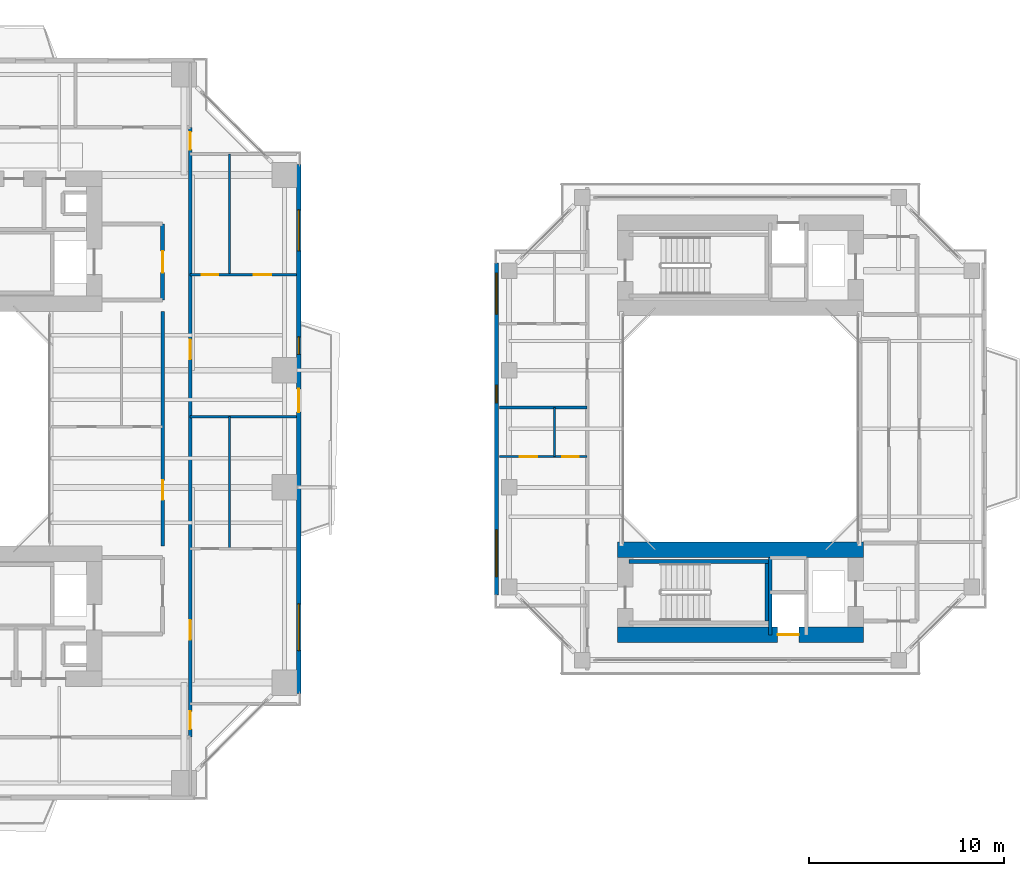
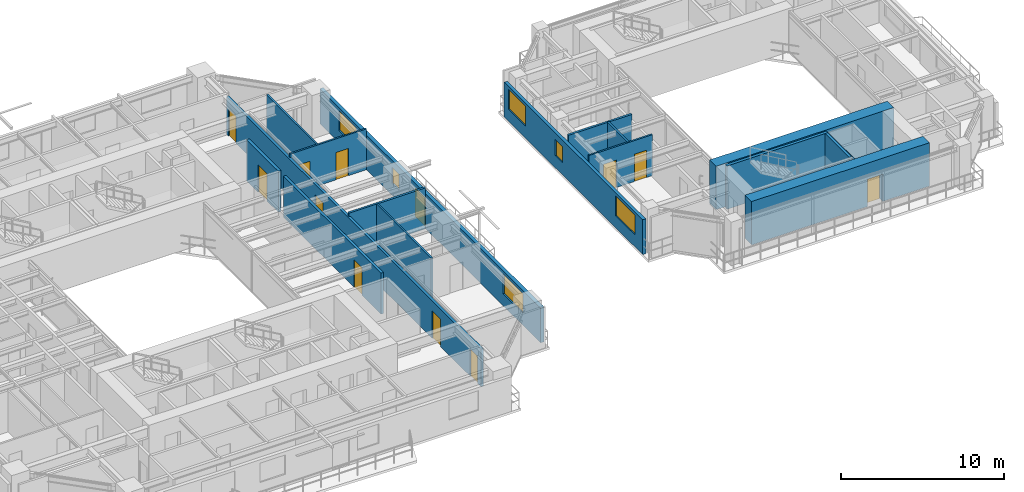
# One storey, part 15 of 23: 17 walls, 12 doors, 6 windows, 18 openings.
"""IFC4 building model written with IfcOpenShell, lengths in metres."""

from ifc_helpers import new_model, si_unit, direction, frame, frame_2d, origin, place, context, subcontext, project, spatial, rectangle, extrude, source, transform, mapped, material, layer, layer_set, type_object, element, fill, save


model = new_model("IFC4")

# Units and contexts
model_context = context("Model", 3, precision=1e-05, world=origin(), true_north=direction((0.0, 1.0)))
body_context = subcontext(model_context, "Body", "Model", "MODEL_VIEW")
ifc_project = project(units=[si_unit("LENGTHUNIT", "METRE"), si_unit("AREAUNIT", "SQUARE_METRE"), si_unit("VOLUMEUNIT", "CUBIC_METRE"), si_unit("PLANEANGLEUNIT", "RADIAN"), si_unit("MASSUNIT", "GRAM", prefix="KILO"), si_unit("THERMODYNAMICTEMPERATUREUNIT", "KELVIN"), si_unit("POWERUNIT", "WATT")], contexts=[model_context])

# Site, building, storey
site_placement = place(None, origin())
site = spatial("IfcSite", under=ifc_project, at=site_placement, CompositionType="ELEMENT")
building_placement = place(site_placement, origin())
building = spatial("IfcBuilding", under=site, at=building_placement, Name="Qiaomeng Ring Towers", CompositionType="ELEMENT")
storey_placement = place(building_placement, frame((0.0, 0.0, 76.25)))
storey = spatial("IfcBuildingStorey", under=building, at=storey_placement, Name="L21", CompositionType="ELEMENT", Elevation=76.25)

# Wall, openings, windows, door
ifc_material_1 = material(Name="Precast concrete C40", Category="concrete")
ifc_layer_1 = layer(ifc_material_1, 0.25, Name="Precast concrete C40")
ifc_layer_set_1 = layer_set([ifc_layer_1], Name="Precast concrete C40")
wall_type_1 = type_object("IfcWallType", Name="ARC-WL-EW1", PredefinedType="STANDARD", material=ifc_layer_set_1)
wall_1_placement = place(storey_placement, frame((37.875, 9.449951171875, 0.0), z_axis=(0.0, 0.0, 1.0), x_axis=(0.0, 1.0, 0.0)))
wall_1 = element("IfcWall", 1, at=wall_1_placement, inside=storey, type_object=wall_type_1, Name="L21 Tower 1 E Exterior Wall", PredefinedType="STANDARD", context=body_context, shape_type="SweptSolid", body=[
    extrude(rectangle(XDim=27.10009765625, YDim=0.25, at=frame_2d((13.550048828125, 0.0))), origin(), (0.0, 0.0, 1.0), 2.610107421875),
])
opening_1_placement = place(wall_1_placement, frame((14.39990234375, 0.0, 0.0)))
opening_1 = element("IfcOpeningElement", 2, at=opening_1_placement, cuts=wall_1, Name="Opening BD1", PredefinedType="OPENING", context=body_context, shape_type="SweptSolid", body=[
    extrude(rectangle(XDim=1.199951171875, YDim=2.10009765625, at=frame_2d((0.60009765625, 1.050048828125))), frame((0.0, 0.135009765625, 0.0), z_axis=(0.0, -1.0, 0.0), x_axis=(1.0, 0.0, 0.0)), (0.0, 0.0, 1.0), 0.27001953125),
])
opening_2_placement = place(wall_1_placement, frame((2.18798828125, 0.0, 0.89990234375)))
opening_2 = element("IfcOpeningElement", 3, at=opening_2_placement, cuts=wall_1, Name="Opening WN6", PredefinedType="OPENING", context=body_context, shape_type="SweptSolid", body=[
    extrude(rectangle(XDim=2.39990234375, YDim=1.47998046875, at=frame_2d((1.199951171875, 0.739990234375))), frame((0.0, 0.135009765625, 0.0), z_axis=(0.0, -1.0, 0.0), x_axis=(1.0, 0.0, 0.0)), (0.0, 0.0, 1.0), 0.27001953125),
])
opening_3_placement = place(wall_1_placement, frame((22.6630859375, 0.0, 0.89990234375)))
opening_3 = element("IfcOpeningElement", 4, at=opening_3_placement, cuts=wall_1, Name="Opening WN4", PredefinedType="OPENING", context=body_context, shape_type="SweptSolid", body=[
    extrude(rectangle(XDim=2.10009765625, YDim=1.47998046875, at=frame_2d((1.050048828125, 0.739990234375))), frame((0.0, 0.135009765625, 0.0), z_axis=(0.0, -1.0, 0.0), x_axis=(1.0, 0.0, 0.0)), (0.0, 0.0, 1.0), 0.27001953125),
])
opening_4_placement = place(wall_1_placement, frame((17.364990234375, 0.0, 0.89990234375)))
opening_4 = element("IfcOpeningElement", 5, at=opening_4_placement, cuts=wall_1, Name="Opening WN5", PredefinedType="OPENING", context=body_context, shape_type="SweptSolid", body=[
    extrude(rectangle(XDim=0.89990234375, YDim=1.199951171875, at=frame_2d((0.449951171875, 0.60009765625))), frame((0.0, 0.135009765625, 0.0), z_axis=(0.0, -1.0, 0.0), x_axis=(1.0, 0.0, 0.0)), (0.0, 0.0, 1.0), 0.27001953125),
])
ifc_material_2 = material(Name="Low-E dark-grey laminated double glazing", Category="glass")
window_type_1 = type_object("IfcWindowType", Name="ARC-WN-4", PartitioningType="TRIPLE_PANEL_VERTICAL", PredefinedType="WINDOW", material=ifc_material_2)
shared_shape_1 = source(origin(), body_context, "Body", "SweptSolid", [
    extrude(rectangle(XDim=2.10009765625, YDim=1.47998046875, at=frame_2d((1.050048828125, 0.739990234375))), frame((0.0, 0.030029296875, 0.0), z_axis=(0.0, -1.0, 0.0), x_axis=(1.0, 0.0, 0.0)), (0.0, 0.0, 1.0), 0.06005859375),
])
window_1_placement = place(opening_3_placement, origin())
window_1 = element("IfcWindow", 6, at=window_1_placement, inside=storey, type_object=window_type_1, Name="L21 Exterior Window WN4", OverallHeight=1.47998046875, OverallWidth=2.10009765625, PartitioningType="TRIPLE_PANEL_VERTICAL", PredefinedType="WINDOW", context=body_context, shape_type="MappedRepresentation", body=[
    mapped(shared_shape_1, transform((0.0, 0.0, 0.0), x_axis=(1.0, 0.0, 0.0), y_axis=(0.0, 1.0, 0.0), z_axis=(0.0, 0.0, 1.0), scale=1.0)),
])
fill(opening_3, window_1)
window_type_2 = type_object("IfcWindowType", Name="ARC-WN-6", PartitioningType="TRIPLE_PANEL_VERTICAL", PredefinedType="WINDOW", material=ifc_material_2)
shared_shape_2 = source(origin(), body_context, "Body", "SweptSolid", [
    extrude(rectangle(XDim=2.39990234375, YDim=1.47998046875, at=frame_2d((1.199951171875, 0.739990234375))), frame((0.0, 0.030029296875, 0.0), z_axis=(0.0, -1.0, 0.0), x_axis=(1.0, 0.0, 0.0)), (0.0, 0.0, 1.0), 0.06005859375),
])
window_2_placement = place(opening_2_placement, origin())
window_2 = element("IfcWindow", 7, at=window_2_placement, inside=storey, type_object=window_type_2, Name="L21 Exterior Window WN6", OverallHeight=1.47998046875, OverallWidth=2.39990234375, PartitioningType="TRIPLE_PANEL_VERTICAL", PredefinedType="WINDOW", context=body_context, shape_type="MappedRepresentation", body=[
    mapped(shared_shape_2, transform((0.0, 0.0, 0.0), x_axis=(1.0, 0.0, 0.0), y_axis=(0.0, 1.0, 0.0), z_axis=(0.0, 0.0, 1.0), scale=1.0)),
])
fill(opening_2, window_2)
door_type_1 = type_object("IfcDoorType", Name="ARC-DR-BD1", OperationType="NOTDEFINED", PredefinedType="DOOR", material=ifc_material_2)
shared_shape_3 = source(origin(), body_context, "Body", "SweptSolid", [
    extrude(rectangle(XDim=1.199951171875, YDim=2.10009765625, at=frame_2d((0.60009765625, 1.050048828125))), frame((0.0, 0.02490234375, 0.0), z_axis=(0.0, -1.0, 0.0), x_axis=(1.0, 0.0, 0.0)), (0.0, 0.0, 1.0), 0.050048828125),
])
door_1_placement = place(opening_1_placement, origin())
door_1 = element("IfcDoor", 8, at=door_1_placement, inside=storey, type_object=door_type_1, Name="L21 E Balcony Glazed Door", OperationType="SINGLE_SWING_LEFT", OverallHeight=2.10009765625, OverallWidth=1.199951171875, PredefinedType="DOOR", context=body_context, shape_type="MappedRepresentation", body=[
    mapped(shared_shape_3, transform((0.0, 0.0, 0.0), x_axis=(1.0, 0.0, 0.0), y_axis=(0.0, 1.0, 0.0), z_axis=(0.0, 0.0, 1.0), scale=1.0)),
])
fill(opening_1, door_1)
window_type_3 = type_object("IfcWindowType", Name="ARC-WN-5", PartitioningType="SINGLE_PANEL", PredefinedType="WINDOW", material=ifc_material_2)
shared_shape_4 = source(origin(), body_context, "Body", "SweptSolid", [
    extrude(rectangle(XDim=0.89990234375, YDim=1.199951171875, at=frame_2d((0.449951171875, 0.60009765625))), frame((0.0, 0.030029296875, 0.0), z_axis=(0.0, -1.0, 0.0), x_axis=(1.0, 0.0, 0.0)), (0.0, 0.0, 1.0), 0.06005859375),
])
window_3_placement = place(opening_4_placement, origin())
window_3 = element("IfcWindow", 9, at=window_3_placement, inside=storey, type_object=window_type_3, Name="L21 Exterior Window WN5", OverallHeight=1.199951171875, OverallWidth=0.89990234375, PartitioningType="SINGLE_PANEL", PredefinedType="WINDOW", context=body_context, shape_type="MappedRepresentation", body=[
    mapped(shared_shape_4, transform((0.0, 0.0, 0.0), x_axis=(1.0, 0.0, 0.0), y_axis=(0.0, 1.0, 0.0), z_axis=(0.0, 0.0, 1.0), scale=1.0)),
])
fill(opening_4, window_3)

# Wall, openings, windows
ifc_layer_2 = layer(ifc_material_1, 0.219970703125, Name="Precast concrete C40")
ifc_layer_set_2 = layer_set([ifc_layer_2], Name="Precast concrete C40")
wall_type_2 = type_object("IfcWallType", Name="ARC-WL-EW2", PredefinedType="STANDARD", material=ifc_layer_set_2)
wall_2_placement = place(storey_placement, frame((48.010009765625, 14.5, 0.0), z_axis=(0.0, 0.0, 1.0), x_axis=(0.0, 1.0, 0.0)))
wall_2 = element("IfcWall", 10, at=wall_2_placement, inside=storey, type_object=wall_type_2, Name="L21 Companion West Wall", PredefinedType="STANDARD", context=body_context, shape_type="SweptSolid", body=[
    extrude(rectangle(XDim=17.0, YDim=0.219970703125, at=frame_2d((8.5, 0.0))), origin(), (0.0, 0.0, 1.0), 2.610107421875),
])
opening_5_placement = place(wall_2_placement, frame((0.925048828125, 0.0, 0.89990234375)))
opening_5 = element("IfcOpeningElement", 11, at=opening_5_placement, cuts=wall_2, Name="Opening WN6", PredefinedType="OPENING", context=body_context, shape_type="SweptSolid", body=[
    extrude(rectangle(XDim=2.39990234375, YDim=1.47998046875, at=frame_2d((1.199951171875, 0.739990234375))), frame((0.0, 0.119873046875, 0.0), z_axis=(0.0, -1.0, 0.0), x_axis=(1.0, 0.0, 0.0)), (0.0, 0.0, 1.0), 0.239990234375),
])
opening_6_placement = place(wall_2_placement, frame((14.3798828125, 0.0, 0.89990234375)))
opening_6 = element("IfcOpeningElement", 12, at=opening_6_placement, cuts=wall_2, Name="Opening WN4", PredefinedType="OPENING", context=body_context, shape_type="SweptSolid", body=[
    extrude(rectangle(XDim=2.10009765625, YDim=1.5, at=frame_2d((1.050048828125, 0.75))), frame((0.0, 0.119873046875, 0.0), z_axis=(0.0, -1.0, 0.0), x_axis=(1.0, 0.0, 0.0)), (0.0, 0.0, 1.0), 0.239990234375),
])
opening_7_placement = place(wall_2_placement, frame((9.8349609375, 0.0, 0.89990234375)))
opening_7 = element("IfcOpeningElement", 13, at=opening_7_placement, cuts=wall_2, Name="Opening WN5", PredefinedType="OPENING", context=body_context, shape_type="SweptSolid", body=[
    extrude(rectangle(XDim=0.89990234375, YDim=1.199951171875, at=frame_2d((0.449951171875, 0.60009765625))), frame((0.0, 0.119873046875, 0.0), z_axis=(0.0, -1.0, 0.0), x_axis=(1.0, 0.0, 0.0)), (0.0, 0.0, 1.0), 0.239990234375),
])
shared_shape_5 = source(origin(), body_context, "Body", "SweptSolid", [
    extrude(rectangle(XDim=2.10009765625, YDim=1.5, at=frame_2d((1.050048828125, 0.75))), frame((0.0, 0.030029296875, 0.0), z_axis=(0.0, -1.0, 0.0), x_axis=(1.0, 0.0, 0.0)), (0.0, 0.0, 1.0), 0.06005859375),
])
window_4_placement = place(opening_6_placement, origin())
window_4 = element("IfcWindow", 14, at=window_4_placement, inside=storey, type_object=window_type_1, Name="L21 Exterior Window WN4", OverallHeight=1.5, OverallWidth=2.10009765625, PartitioningType="TRIPLE_PANEL_VERTICAL", PredefinedType="WINDOW", context=body_context, shape_type="MappedRepresentation", body=[
    mapped(shared_shape_5, transform((0.0, 0.0, 0.0), x_axis=(1.0, 0.0, 0.0), y_axis=(0.0, 1.0, 0.0), z_axis=(0.0, 0.0, 1.0), scale=1.0)),
])
fill(opening_6, window_4)
window_5_placement = place(opening_5_placement, origin())
window_5 = element("IfcWindow", 15, at=window_5_placement, inside=storey, type_object=window_type_2, Name="L21 Exterior Window WN6", OverallHeight=1.47998046875, OverallWidth=2.39990234375, PartitioningType="TRIPLE_PANEL_VERTICAL", PredefinedType="WINDOW", context=body_context, shape_type="MappedRepresentation", body=[
    mapped(shared_shape_2, transform((0.0, 0.0, 0.0), x_axis=(1.0, 0.0, 0.0), y_axis=(0.0, 1.0, 0.0), z_axis=(0.0, 0.0, 1.0), scale=1.0)),
])
fill(opening_5, window_5)
window_6_placement = place(opening_7_placement, origin())
window_6 = element("IfcWindow", 16, at=window_6_placement, inside=storey, type_object=window_type_3, Name="L21 Exterior Window WN5", OverallHeight=1.199951171875, OverallWidth=0.89990234375, PartitioningType="SINGLE_PANEL", PredefinedType="WINDOW", context=body_context, shape_type="MappedRepresentation", body=[
    mapped(shared_shape_4, transform((0.0, 0.0, 0.0), x_axis=(1.0, 0.0, 0.0), y_axis=(0.0, 1.0, 0.0), z_axis=(0.0, 0.0, 1.0), scale=1.0)),
])
fill(opening_7, window_6)

# Wall, opening, door
ifc_material_3 = material(Name="Autoclaved aerated concrete block", Category="concrete")
ifc_layer_3 = layer(ifc_material_3, 0.199951171875, Name="Autoclaved aerated concrete block")
ifc_layer_set_3 = layer_set([ifc_layer_3], Name="Autoclaved aerated concrete block")
wall_type_3 = type_object("IfcWallType", Name="ARC-WL-PW1", PredefinedType="PARTITIONING", material=ifc_layer_set_3)
wall_3_placement = place(storey_placement, frame((30.89990234375, 29.60009765625, 0.0), z_axis=(0.0, 0.0, 1.0), x_axis=(0.0, 1.0, 0.0)))
wall_3 = element("IfcWall", 17, at=wall_3_placement, inside=storey, type_object=wall_type_3, Name="L21 Interior Wall PW1", PredefinedType="PARTITIONING", context=body_context, shape_type="SweptSolid", body=[
    extrude(rectangle(XDim=3.89990234375, YDim=0.199951171875, at=frame_2d((1.949951171875, 0.0))), origin(), (0.0, 0.0, 1.0), 3.070068359375),
])
opening_8_placement = place(wall_3_placement, frame((1.39990234375, 0.0, 0.0)))
opening_8 = element("IfcOpeningElement", 18, at=opening_8_placement, cuts=wall_3, Name="Opening FD3", PredefinedType="OPENING", context=body_context, shape_type="SweptSolid", body=[
    extrude(rectangle(XDim=1.10009765625, YDim=2.050048828125, at=frame_2d((0.550048828125, 1.02490234375))), frame((0.0, 0.10986328125, 0.0), z_axis=(0.0, -1.0, 0.0), x_axis=(1.0, 0.0, 0.0)), (0.0, 0.0, 1.0), 0.219970703125),
])
ifc_material_4 = material(Name="Galvanised steel", Category="steel")
door_type_2 = type_object("IfcDoorType", Name="ARC-DR-FD3", OperationType="NOTDEFINED", PredefinedType="DOOR", material=ifc_material_4)
shared_shape_6 = source(origin(), body_context, "Body", "SweptSolid", [
    extrude(rectangle(XDim=1.10009765625, YDim=2.050048828125, at=frame_2d((0.550048828125, 1.02490234375))), frame((0.0, 0.02490234375, 0.0), z_axis=(0.0, -1.0, 0.0), x_axis=(1.0, 0.0, 0.0)), (0.0, 0.0, 1.0), 0.050048828125),
])
door_2_placement = place(opening_8_placement, origin())
door_2 = element("IfcDoor", 19, at=door_2_placement, inside=storey, type_object=door_type_2, Name="L21 North FF Lobby Door", OperationType="SINGLE_SWING_LEFT", OverallHeight=2.050048828125, OverallWidth=1.10009765625, PredefinedType="DOOR", context=body_context, shape_type="MappedRepresentation", body=[
    mapped(shared_shape_6, transform((0.0, 0.0, 0.0), x_axis=(1.0, 0.0, 0.0), y_axis=(0.0, 1.0, 0.0), z_axis=(0.0, 0.0, 1.0), scale=1.0)),
])
fill(opening_8, door_2)

# Wall, openings, doors
ifc_layer_4 = layer(ifc_material_3, 0.179931640625, Name="Autoclaved aerated concrete block")
ifc_layer_set_4 = layer_set([ifc_layer_4], Name="Autoclaved aerated concrete block")
wall_type_4 = type_object("IfcWallType", Name="ARC-WL-PW2", PredefinedType="PARTITIONING", material=ifc_layer_set_4)
wall_4_placement = place(storey_placement, frame((32.320068359375, 7.2099609375, 0.0), z_axis=(0.0, 0.0, 1.0), x_axis=(0.0, 1.0, 0.0)))
wall_4 = element("IfcWall", 20, at=wall_4_placement, inside=storey, type_object=wall_type_4, Name="L21 Interior Wall PW2", PredefinedType="PARTITIONING", context=body_context, shape_type="SweptSolid", body=[
    extrude(rectangle(XDim=31.22998046875, YDim=0.179931640625, at=frame_2d((15.614990234375, 0.0))), origin(), (0.0, 0.0, 1.0), 2.81494140625),
])
opening_9_placement = place(wall_4_placement, frame((30.090087890625, 0.0, 0.0)))
opening_9 = element("IfcOpeningElement", 21, at=opening_9_placement, cuts=wall_4, Name="Opening ID1", PredefinedType="OPENING", context=body_context, shape_type="SweptSolid", body=[
    extrude(rectangle(XDim=0.89990234375, YDim=2.050048828125, at=frame_2d((0.449951171875, 1.02490234375))), frame((0.0, 0.099853515625, 0.0), z_axis=(0.0, -1.0, 0.0), x_axis=(1.0, 0.0, 0.0)), (0.0, 0.0, 1.0), 0.199951171875),
])
opening_10_placement = place(wall_4_placement, frame((0.4150390625, 0.0, 0.0)))
opening_10 = element("IfcOpeningElement", 22, at=opening_10_placement, cuts=wall_4, Name="Opening ID1", PredefinedType="OPENING", context=body_context, shape_type="SweptSolid", body=[
    extrude(rectangle(XDim=0.89990234375, YDim=2.050048828125, at=frame_2d((0.449951171875, 1.02490234375))), frame((0.0, 0.099853515625, 0.0), z_axis=(0.0, -1.0, 0.0), x_axis=(1.0, 0.0, 0.0)), (0.0, 0.0, 1.0), 0.199951171875),
])
opening_11_placement = place(wall_4_placement, frame((4.989990234375, 0.0, 0.0)))
opening_11 = element("IfcOpeningElement", 23, at=opening_11_placement, cuts=wall_4, Name="Opening FD4", PredefinedType="OPENING", context=body_context, shape_type="SweptSolid", body=[
    extrude(rectangle(XDim=1.0, YDim=2.050048828125, at=frame_2d((0.5, 1.02490234375))), frame((0.0, 0.099853515625, 0.0), z_axis=(0.0, -1.0, 0.0), x_axis=(1.0, 0.0, 0.0)), (0.0, 0.0, 1.0), 0.199951171875),
])
opening_12_placement = place(wall_4_placement, frame((19.35498046875, 0.0, 0.0)))
opening_12 = element("IfcOpeningElement", 24, at=opening_12_placement, cuts=wall_4, Name="Opening FD4", PredefinedType="OPENING", context=body_context, shape_type="SweptSolid", body=[
    extrude(rectangle(XDim=1.0, YDim=2.050048828125, at=frame_2d((0.5, 1.02490234375))), frame((0.0, 0.099853515625, 0.0), z_axis=(0.0, -1.0, 0.0), x_axis=(1.0, 0.0, 0.0)), (0.0, 0.0, 1.0), 0.199951171875),
])
ifc_material_5 = material(Name="Engineered fire-rated oak timber", Category="wood")
door_type_3 = type_object("IfcDoorType", Name="ARC-DR-FD4", OperationType="NOTDEFINED", PredefinedType="DOOR", material=ifc_material_5)
shared_shape_7 = source(origin(), body_context, "Body", "SweptSolid", [
    extrude(rectangle(XDim=1.0, YDim=2.050048828125, at=frame_2d((0.5, 1.02490234375))), frame((0.0, 0.02490234375, 0.0), z_axis=(0.0, -1.0, 0.0), x_axis=(1.0, 0.0, 0.0)), (0.0, 0.0, 1.0), 0.050048828125),
])
door_3_placement = place(opening_11_placement, origin())
door_3 = element("IfcDoor", 25, at=door_3_placement, inside=storey, type_object=door_type_3, Name="L21 Door FD4", OperationType="SINGLE_SWING_LEFT", OverallHeight=2.050048828125, OverallWidth=1.0, PredefinedType="DOOR", context=body_context, shape_type="MappedRepresentation", body=[
    mapped(shared_shape_7, transform((0.0, 0.0, 0.0), x_axis=(1.0, 0.0, 0.0), y_axis=(0.0, 1.0, 0.0), z_axis=(0.0, 0.0, 1.0), scale=1.0)),
])
fill(opening_11, door_3)
door_4_placement = place(opening_12_placement, origin())
door_4 = element("IfcDoor", 26, at=door_4_placement, inside=storey, type_object=door_type_3, Name="L21 Door FD4", OperationType="SINGLE_SWING_RIGHT", OverallHeight=2.050048828125, OverallWidth=1.0, PredefinedType="DOOR", context=body_context, shape_type="MappedRepresentation", body=[
    mapped(shared_shape_7, transform((0.0, 0.0, 0.0), x_axis=(1.0, 0.0, 0.0), y_axis=(0.0, 1.0, 0.0), z_axis=(0.0, 0.0, 1.0), scale=1.0)),
])
fill(opening_12, door_4)
ifc_material_6 = material(Name="Engineered oak timber", Category="wood")
door_type_4 = type_object("IfcDoorType", Name="ARC-DR-ID1", OperationType="NOTDEFINED", PredefinedType="DOOR", material=ifc_material_6)
shared_shape_8 = source(origin(), body_context, "Body", "SweptSolid", [
    extrude(rectangle(XDim=0.89990234375, YDim=2.050048828125, at=frame_2d((0.449951171875, 1.02490234375))), frame((0.0, 0.02490234375, 0.0), z_axis=(0.0, -1.0, 0.0), x_axis=(1.0, 0.0, 0.0)), (0.0, 0.0, 1.0), 0.050048828125),
])
door_5_placement = place(opening_9_placement, origin())
door_5 = element("IfcDoor", 27, at=door_5_placement, inside=storey, type_object=door_type_4, Name="L21 Door ID1", OperationType="SINGLE_SWING_LEFT", OverallHeight=2.050048828125, OverallWidth=0.89990234375, PredefinedType="DOOR", context=body_context, shape_type="MappedRepresentation", body=[
    mapped(shared_shape_8, transform((0.0, 0.0, 0.0), x_axis=(1.0, 0.0, 0.0), y_axis=(0.0, 1.0, 0.0), z_axis=(0.0, 0.0, 1.0), scale=1.0)),
])
fill(opening_9, door_5)
door_6_placement = place(opening_10_placement, origin())
door_6 = element("IfcDoor", 28, at=door_6_placement, inside=storey, type_object=door_type_4, Name="L21 Door ID1", OperationType="SINGLE_SWING_RIGHT", OverallHeight=2.050048828125, OverallWidth=0.89990234375, PredefinedType="DOOR", context=body_context, shape_type="MappedRepresentation", body=[
    mapped(shared_shape_8, transform((0.0, 0.0, 0.0), x_axis=(1.0, 0.0, 0.0), y_axis=(0.0, 1.0, 0.0), z_axis=(0.0, 0.0, 1.0), scale=1.0)),
])
fill(opening_10, door_6)

# Wall, opening, door
wall_5_placement = place(storey_placement, frame((30.89990234375, 17.0, 0.0), z_axis=(0.0, 0.0, 1.0), x_axis=(0.0, 1.0, 0.0)))
wall_5 = element("IfcWall", 29, at=wall_5_placement, inside=storey, type_object=wall_type_4, Name="L21 Interior Wall PW2", PredefinedType="PARTITIONING", context=body_context, shape_type="SweptSolid", body=[
    extrude(rectangle(XDim=12.0, YDim=0.179931640625, at=frame_2d((6.0, 0.0))), origin(), (0.0, 0.0, 1.0), 3.070068359375),
])
opening_13_placement = place(wall_5_placement, frame((2.360107421875, 0.0, 0.0)))
opening_13 = element("IfcOpeningElement", 30, at=opening_13_placement, cuts=wall_5, Name="Opening FD4", PredefinedType="OPENING", context=body_context, shape_type="SweptSolid", body=[
    extrude(rectangle(XDim=1.0, YDim=2.050048828125, at=frame_2d((0.5, 1.02490234375))), frame((0.0, 0.099853515625, 0.0), z_axis=(0.0, -1.0, 0.0), x_axis=(1.0, 0.0, 0.0)), (0.0, 0.0, 1.0), 0.199951171875),
])
door_7_placement = place(opening_13_placement, origin())
door_7 = element("IfcDoor", 31, at=door_7_placement, inside=storey, type_object=door_type_3, Name="L21 Door FD4", OperationType="SINGLE_SWING_LEFT", OverallHeight=2.050048828125, OverallWidth=1.0, PredefinedType="DOOR", context=body_context, shape_type="MappedRepresentation", body=[
    mapped(shared_shape_7, transform((0.0, 0.0, 0.0), x_axis=(1.0, 0.0, 0.0), y_axis=(0.0, 1.0, 0.0), z_axis=(0.0, 0.0, 1.0), scale=1.0)),
])
fill(opening_13, door_7)

# Walls
ifc_material_7 = material(Name="Gypsum fireboard steel-stud partition", Category="steel")
ifc_layer_5 = layer(ifc_material_7, 0.14990234375, Name="Gypsum fireboard steel-stud partition")
ifc_layer_set_5 = layer_set([ifc_layer_5], Name="Gypsum fireboard steel-stud partition")
wall_type_5 = type_object("IfcWallType", Name="ARC-WL-PW3", PredefinedType="PARTITIONING", material=ifc_layer_set_5)
wall_6_placement = place(storey_placement, frame((32.320068359375, 23.6201171875, 0.0), z_axis=(0.0, 0.0, 1.0), x_axis=(1.0, 0.0, 0.0)))
element("IfcWall", 32, at=wall_6_placement, inside=storey, type_object=wall_type_5, Name="L21 Interior Wall PW3", PredefinedType="PARTITIONING", context=body_context, shape_type="SweptSolid", body=[
    extrude(rectangle(XDim=5.429931640625, YDim=0.14990234375, at=frame_2d((2.71484375, 0.0))), origin(), (0.0, 0.0, 1.0), 3.070068359375),
])
wall_7_placement = place(storey_placement, frame((48.14990234375, 24.10009765625, 0.0), z_axis=(0.0, 0.0, 1.0), x_axis=(1.0, 0.0, 0.0)))
element("IfcWall", 33, at=wall_7_placement, inside=storey, type_object=wall_type_5, Name="L21 Interior Wall PW3", PredefinedType="PARTITIONING", context=body_context, shape_type="SweptSolid", body=[
    extrude(rectangle(XDim=4.5, YDim=0.14990234375, at=frame_2d((2.25, 0.0))), origin(), (0.0, 0.0, 1.0), 3.070068359375),
])
ifc_material_8 = material(Name="Moisture-resistant gypsum steel-stud partition", Category="steel")
ifc_layer_6 = layer(ifc_material_8, 0.1201171875, Name="Moisture-resistant gypsum steel-stud partition")
ifc_layer_set_6 = layer_set([ifc_layer_6], Name="Moisture-resistant gypsum steel-stud partition")
wall_type_6 = type_object("IfcWallType", Name="ARC-WL-PW4", PredefinedType="PLUMBINGWALL", material=ifc_layer_set_6)
wall_8_placement = place(storey_placement, frame((34.330078125, 16.860107421875, 0.0), z_axis=(0.0, 0.0, 1.0), x_axis=(0.0, 1.0, 0.0)))
element("IfcWall", 34, at=wall_8_placement, inside=storey, type_object=wall_type_6, Name="L21 Interior Wall PW4", PredefinedType="PLUMBINGWALL", context=body_context, shape_type="SweptSolid", body=[
    extrude(rectangle(XDim=6.760009765625, YDim=0.1201171875, at=frame_2d((3.3798828125, 0.0))), origin(), (0.0, 0.0, 1.0), 3.070068359375),
])

# Wall, openings, doors
wall_9_placement = place(storey_placement, frame((32.320068359375, 30.889892578125, 0.0), z_axis=(0.0, 0.0, 1.0), x_axis=(1.0, 0.0, 0.0)))
wall_9 = element("IfcWall", 35, at=wall_9_placement, inside=storey, type_object=wall_type_6, Name="L21 Interior Wall PW4", PredefinedType="PLUMBINGWALL", context=body_context, shape_type="SweptSolid", body=[
    extrude(rectangle(XDim=5.429931640625, YDim=0.1201171875, at=frame_2d((2.71484375, 0.0))), origin(), (0.0, 0.0, 1.0), 3.070068359375),
])
opening_14_placement = place(wall_9_placement, frame((0.590087890625, 0.0, 0.0)))
opening_14 = element("IfcOpeningElement", 36, at=opening_14_placement, cuts=wall_9, Name="Opening ID2", PredefinedType="OPENING", context=body_context, shape_type="SweptSolid", body=[
    extrude(rectangle(XDim=0.85009765625, YDim=2.050048828125, at=frame_2d((0.425048828125, 1.02490234375))), frame((0.0, 0.070068359375, 0.0), z_axis=(0.0, -1.0, 0.0), x_axis=(1.0, 0.0, 0.0)), (0.0, 0.0, 1.0), 0.14013671875),
])
opening_15_placement = place(wall_9_placement, frame((3.260009765625, 0.0, 0.0)))
opening_15 = element("IfcOpeningElement", 37, at=opening_15_placement, cuts=wall_9, Name="Opening ID1", PredefinedType="OPENING", context=body_context, shape_type="SweptSolid", body=[
    extrude(rectangle(XDim=0.89990234375, YDim=2.050048828125, at=frame_2d((0.449951171875, 1.02490234375))), frame((0.0, 0.070068359375, 0.0), z_axis=(0.0, -1.0, 0.0), x_axis=(1.0, 0.0, 0.0)), (0.0, 0.0, 1.0), 0.14013671875),
])
ifc_material_9 = material(Name="Moisture-resistant engineered timber", Category="wood")
door_type_5 = type_object("IfcDoorType", Name="ARC-DR-ID2", OperationType="NOTDEFINED", PredefinedType="DOOR", material=ifc_material_9)
shared_shape_9 = source(origin(), body_context, "Body", "SweptSolid", [
    extrude(rectangle(XDim=0.85009765625, YDim=2.050048828125, at=frame_2d((0.425048828125, 1.02490234375))), frame((0.0, 0.02490234375, 0.0), z_axis=(0.0, -1.0, 0.0), x_axis=(1.0, 0.0, 0.0)), (0.0, 0.0, 1.0), 0.050048828125),
])
door_8_placement = place(opening_14_placement, origin())
door_8 = element("IfcDoor", 38, at=door_8_placement, inside=storey, type_object=door_type_5, Name="L21 Door ID2", OperationType="SINGLE_SWING_RIGHT", OverallHeight=2.050048828125, OverallWidth=0.85009765625, PredefinedType="DOOR", context=body_context, shape_type="MappedRepresentation", body=[
    mapped(shared_shape_9, transform((0.0, 0.0, 0.0), x_axis=(1.0, 0.0, 0.0), y_axis=(0.0, 1.0, 0.0), z_axis=(0.0, 0.0, 1.0), scale=1.0)),
])
fill(opening_14, door_8)
door_9_placement = place(opening_15_placement, origin())
door_9 = element("IfcDoor", 39, at=door_9_placement, inside=storey, type_object=door_type_4, Name="L21 Door ID1", OperationType="SINGLE_SWING_LEFT", OverallHeight=2.050048828125, OverallWidth=0.89990234375, PredefinedType="DOOR", context=body_context, shape_type="MappedRepresentation", body=[
    mapped(shared_shape_8, transform((0.0, 0.0, 0.0), x_axis=(1.0, 0.0, 0.0), y_axis=(0.0, 1.0, 0.0), z_axis=(0.0, 0.0, 1.0), scale=1.0)),
])
fill(opening_15, door_9)

# Wall
wall_10_placement = place(storey_placement, frame((34.330078125, 30.889892578125, 0.0), z_axis=(0.0, 0.0, 1.0), x_axis=(0.0, 1.0, 0.0)))
element("IfcWall", 40, at=wall_10_placement, inside=storey, type_object=wall_type_6, Name="L21 Interior Wall PW4", PredefinedType="PLUMBINGWALL", context=body_context, shape_type="SweptSolid", body=[
    extrude(rectangle(XDim=6.190185546875, YDim=0.1201171875, at=frame_2d((3.09521484375, 0.0))), origin(), (0.0, 0.0, 1.0), 3.070068359375),
])

# Wall, openings, doors
wall_11_placement = place(storey_placement, frame((48.14990234375, 21.580078125, 0.0), z_axis=(0.0, 0.0, 1.0), x_axis=(1.0, 0.0, 0.0)))
wall_11 = element("IfcWall", 41, at=wall_11_placement, inside=storey, type_object=wall_type_6, Name="L21 Interior Wall PW4", PredefinedType="PLUMBINGWALL", context=body_context, shape_type="SweptSolid", body=[
    extrude(rectangle(XDim=4.5, YDim=0.1201171875, at=frame_2d((2.25, 0.0))), origin(), (0.0, 0.0, 1.0), 3.070068359375),
])
opening_16_placement = place(wall_11_placement, frame((1.035888671875, 0.0, 0.0)))
opening_16 = element("IfcOpeningElement", 42, at=opening_16_placement, cuts=wall_11, Name="Opening ID1", PredefinedType="OPENING", context=body_context, shape_type="SweptSolid", body=[
    extrude(rectangle(XDim=0.89990234375, YDim=2.050048828125, at=frame_2d((0.449951171875, 1.02490234375))), frame((0.0, 0.070068359375, 0.0), z_axis=(0.0, -1.0, 0.0), x_axis=(1.0, 0.0, 0.0)), (0.0, 0.0, 1.0), 0.14013671875),
])
opening_17_placement = place(wall_11_placement, frame((3.22998046875, 0.0, 0.0)))
opening_17 = element("IfcOpeningElement", 43, at=opening_17_placement, cuts=wall_11, Name="Opening ID2", PredefinedType="OPENING", context=body_context, shape_type="SweptSolid", body=[
    extrude(rectangle(XDim=0.85009765625, YDim=2.050048828125, at=frame_2d((0.425048828125, 1.02490234375))), frame((0.0, 0.070068359375, 0.0), z_axis=(0.0, -1.0, 0.0), x_axis=(1.0, 0.0, 0.0)), (0.0, 0.0, 1.0), 0.14013671875),
])
door_10_placement = place(opening_17_placement, origin())
door_10 = element("IfcDoor", 44, at=door_10_placement, inside=storey, type_object=door_type_5, Name="L21 Door ID2", OperationType="SINGLE_SWING_LEFT", OverallHeight=2.050048828125, OverallWidth=0.85009765625, PredefinedType="DOOR", context=body_context, shape_type="MappedRepresentation", body=[
    mapped(shared_shape_9, transform((0.0, 0.0, 0.0), x_axis=(1.0, 0.0, 0.0), y_axis=(0.0, 1.0, 0.0), z_axis=(0.0, 0.0, 1.0), scale=1.0)),
])
fill(opening_17, door_10)
door_11_placement = place(opening_16_placement, origin())
door_11 = element("IfcDoor", 45, at=door_11_placement, inside=storey, type_object=door_type_4, Name="L21 Door ID1", OperationType="SINGLE_SWING_RIGHT", OverallHeight=2.050048828125, OverallWidth=0.89990234375, PredefinedType="DOOR", context=body_context, shape_type="MappedRepresentation", body=[
    mapped(shared_shape_8, transform((0.0, 0.0, 0.0), x_axis=(1.0, 0.0, 0.0), y_axis=(0.0, 1.0, 0.0), z_axis=(0.0, 0.0, 1.0), scale=1.0)),
])
fill(opening_16, door_11)

# Walls
wall_12_placement = place(storey_placement, frame((50.97998046875, 21.580078125, 0.0), z_axis=(0.0, 0.0, 1.0), x_axis=(0.0, 1.0, 0.0)))
element("IfcWall", 46, at=wall_12_placement, inside=storey, type_object=wall_type_6, Name="L21 Interior Wall PW4", PredefinedType="PLUMBINGWALL", context=body_context, shape_type="SweptSolid", body=[
    extrude(rectangle(XDim=2.52001953125, YDim=0.1201171875, at=frame_2d((1.260009765625, 0.0))), origin(), (0.0, 0.0, 1.0), 3.070068359375),
])
ifc_material_10 = material(Name="Concrete C40", Category="concrete")
ifc_layer_7 = layer(ifc_material_10, 0.199951171875, Name="Concrete C40")
ifc_layer_set_7 = layer_set([ifc_layer_7], Name="Concrete C40")
wall_type_7 = type_object("IfcWallType", Name="STR-WL-STSHAFT", PredefinedType="SHEAR", material=ifc_layer_set_7)
wall_13_placement = place(storey_placement, frame((62.02001953125, 12.449951171875, 0.0), z_axis=(0.0, 0.0, 1.0), x_axis=(0.0, 1.0, 0.0)))
element("IfcWall", 47, at=wall_13_placement, inside=storey, type_object=wall_type_7, Name="L21 Companion Lift Shaft West Wall S", PredefinedType="SHEAR", context=body_context, shape_type="SweptSolid", body=[
    extrude(rectangle(XDim=3.949951171875, YDim=0.179931640625, at=frame_2d((1.97509765625, 0.0))), origin(), (0.0, 0.0, 1.0), 3.070068359375),
])
wall_14_placement = place(storey_placement, frame((54.800048828125, 16.199951171875, 0.0), z_axis=(0.0, 0.0, 1.0), x_axis=(1.0, 0.0, 0.0)))
element("IfcWall", 48, at=wall_14_placement, inside=storey, type_object=wall_type_7, Name="L21 Stair ST6 North Shaft Shear Wall", PredefinedType="SHEAR", context=body_context, shape_type="SweptSolid", body=[
    extrude(rectangle(XDim=7.14990234375, YDim=0.199951171875, at=frame_2d((3.574951171875, 0.0))), origin(), (0.0, 0.0, 1.0), 3.25),
])
wall_15_placement = place(storey_placement, frame((61.85009765625, 13.159912109375, 0.0), z_axis=(0.0, 0.0, 1.0), x_axis=(0.0, 1.0, 0.0)))
element("IfcWall", 49, at=wall_15_placement, inside=storey, type_object=wall_type_7, Name="L21 Stair ST6 East Shaft Shear Wall", PredefinedType="SHEAR", context=body_context, shape_type="SweptSolid", body=[
    extrude(rectangle(XDim=2.940185546875, YDim=0.199951171875, at=frame_2d((1.47021484375, 0.0))), origin(), (0.0, 0.0, 1.0), 3.25),
])

# Wall, opening, door
ifc_material_11 = material(Name="Concrete C60", Category="concrete")
ifc_layer_8 = layer(ifc_material_11, 0.800048828125, Name="Concrete C60")
ifc_layer_set_8 = layer_set([ifc_layer_8], Name="Concrete C60")
wall_type_8 = type_object("IfcWallType", Name="STR-WL-SW1", PredefinedType="SHEAR", material=ifc_layer_set_8)
wall_16_placement = place(storey_placement, frame((54.199951171875, 12.449951171875, 0.0), z_axis=(0.0, 0.0, 1.0), x_axis=(1.0, 0.0, 0.0)))
wall_16 = element("IfcWall", 50, at=wall_16_placement, inside=storey, type_object=wall_type_8, Name="L21 T2SC south core shear wall", PredefinedType="SHEAR", context=body_context, shape_type="SweptSolid", body=[
    extrude(rectangle(XDim=12.60009765625, YDim=0.800048828125, at=frame_2d((6.300048828125, 0.0))), origin(), (0.0, 0.0, 1.0), 3.25),
])
opening_18_placement = place(wall_16_placement, frame((8.199951171875, 0.0, 0.0)))
opening_18 = element("IfcOpeningElement", 51, at=opening_18_placement, cuts=wall_16, Name="Opening LD1", PredefinedType="OPENING", context=body_context, shape_type="SweptSolid", body=[
    extrude(rectangle(XDim=1.10009765625, YDim=2.050048828125, at=frame_2d((0.550048828125, 1.02490234375))), frame((0.0, 0.409912109375, 0.0), z_axis=(0.0, -1.0, 0.0), x_axis=(1.0, 0.0, 0.0)), (0.0, 0.0, 1.0), 0.820068359375),
])
ifc_material_12 = material(Name="Stainless steel 316", Category="steel")
door_type_6 = type_object("IfcDoorType", Name="ARC-DR-LD1", OperationType="NOTDEFINED", PredefinedType="DOOR", material=ifc_material_12)
door_12_placement = place(opening_18_placement, origin())
door_12 = element("IfcDoor", 52, at=door_12_placement, inside=storey, type_object=door_type_6, Name="L21 Companion Lift LP8 Landing Door", OperationType="SLIDING_TO_RIGHT", OverallHeight=2.050048828125, OverallWidth=1.10009765625, PredefinedType="DOOR", context=body_context, shape_type="MappedRepresentation", body=[
    mapped(shared_shape_6, transform((0.0, 0.0, 0.0), x_axis=(1.0, 0.0, 0.0), y_axis=(0.0, 1.0, 0.0), z_axis=(0.0, 0.0, 1.0), scale=1.0)),
])
fill(opening_18, door_12)

# Wall
wall_17_placement = place(storey_placement, frame((54.199951171875, 16.800048828125, 0.0), z_axis=(0.0, 0.0, 1.0), x_axis=(1.0, 0.0, 0.0)))
element("IfcWall", 53, at=wall_17_placement, inside=storey, type_object=wall_type_8, Name="L21 T2SC north core shear wall", PredefinedType="SHEAR", context=body_context, shape_type="SweptSolid", body=[
    extrude(rectangle(XDim=12.60009765625, YDim=0.800048828125, at=frame_2d((6.300048828125, 0.0))), origin(), (0.0, 0.0, 1.0), 3.25),
])

save(model, "model.ifc")
